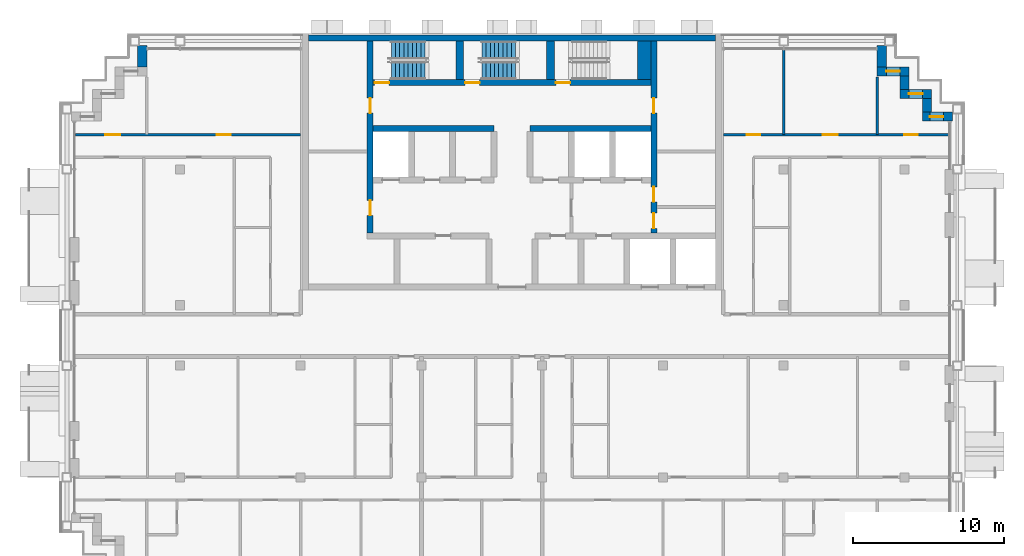
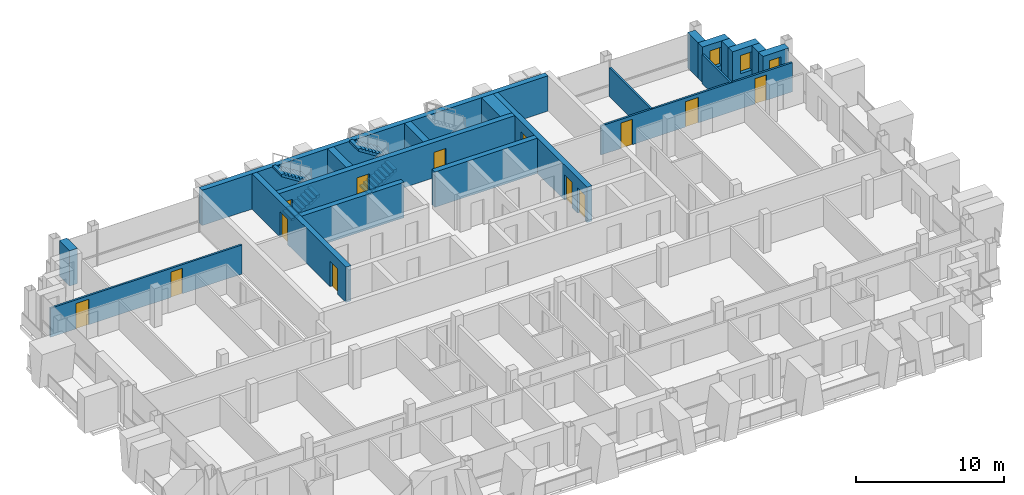
# One storey, part 11 of 16: 20 walls, 13 doors, 4 stair flights, 3 windows, 16 openings, 2 elements without a shape of their own.
"""IFC4 building model written with IfcOpenShell, lengths in metres."""

import ifcopenshell
import ifcopenshell.guid

model = None  # the IFC model being written
_history = None  # IfcOwnerHistory: only IFC2X3 demands one
_inside = {}  # id of a spatial element -> (the spatial element, [elements in it])
_under = {}  # id of a project, library or spatial element -> (it, [spatial elements below it])
_declared = {}  # id of a project -> (the project, [libraries it declares])
_typed = {}  # id of a type object -> (the type object, [elements of that type])
_made_of = {}  # id of a material, layer set ... -> (it, [elements and type objects made of it])


def new_model(schema):
    """Start an empty IFC model of exactly this schema.

    Asked for "IFC4X3", IfcOpenShell would pick the latest addendum, in which some entities
    have other attributes; the version numbers below select the first issue.
    IFC2X3 requires an IfcOwnerHistory on every rooted entity: one is made here for all.
    """
    global model, _history
    if schema == "IFC4X3":
        model = ifcopenshell.file(schema_version=(4, 3, 0, 0))
    else:
        model = ifcopenshell.file(schema=schema)
    _inside.clear()
    _under.clear()
    _declared.clear()
    _typed.clear()
    _made_of.clear()
    _history = None
    if model.schema == "IFC2X3":
        org = make("IfcOrganization", Name="unknown")
        user = make(
            "IfcPersonAndOrganization",
            ThePerson=make("IfcPerson", FamilyName="unknown"),
            TheOrganization=org,
        )
        app = make(
            "IfcApplication",
            ApplicationDeveloper=org,
            Version="unknown",
            ApplicationFullName="unknown",
            ApplicationIdentifier="unknown",
        )
        _history = make(
            "IfcOwnerHistory",
            OwningUser=user,
            OwningApplication=app,
            ChangeAction="ADDED",
            CreationDate=0,
        )
    return model


def make(cls, **values):
    """One entity of the class cls with the attributes given. An attribute that is None is left unset."""
    return model.create_entity(
        cls, **{name: value for name, value in values.items() if value is not None}
    )


def rooted(cls, **values):
    """An entity with a GlobalId (a new one), such as an element, a storey or a relation."""
    return make(cls, GlobalId=ifcopenshell.guid.new(), OwnerHistory=_history, **values)


def si_unit(unit_type, name, prefix=None):
    """IfcSIUnit, for example si_unit("LENGTHUNIT", "METRE", prefix="MILLI")."""
    return make("IfcSIUnit", UnitType=unit_type, Prefix=prefix, Name=name)


def assignment(units):
    """IfcUnitAssignment: the units of a project."""
    return None if units is None else make("IfcUnitAssignment", Units=units)


def point(xyz):
    """IfcCartesianPoint."""
    return None if xyz is None else make("IfcCartesianPoint", Coordinates=xyz)


def direction(xyz):
    """IfcDirection."""
    return None if xyz is None else make("IfcDirection", DirectionRatios=xyz)


def frame(location, z_axis=None, x_axis=None):
    """IfcAxis2Placement3D, a coordinate frame: its origin and axes. An axis left out is left unset."""
    return make(
        "IfcAxis2Placement3D",
        Location=point(location),
        Axis=direction(z_axis),
        RefDirection=direction(x_axis),
    )


def frame_2d(location, x_axis=None):
    """IfcAxis2Placement2D, a coordinate frame in the plane: its origin and x axis."""
    return make(
        "IfcAxis2Placement2D", Location=point(location), RefDirection=direction(x_axis)
    )


def origin():
    """The frame at (0, 0, 0) with its axes left unset."""
    return frame((0.0, 0.0, 0.0))


def place(relative_to, where):
    """IfcLocalPlacement: puts the frame where relative to a parent placement (None: the world)."""
    return make(
        "IfcLocalPlacement", PlacementRelTo=relative_to, RelativePlacement=where
    )


def context(
    kind, dimensions, precision=None, world=None, true_north=None, identifier=None
):
    """IfcGeometricRepresentationContext, for example the 3D "Model" context."""
    return make(
        "IfcGeometricRepresentationContext",
        ContextIdentifier=identifier,
        ContextType=kind,
        CoordinateSpaceDimension=dimensions,
        Precision=precision,
        WorldCoordinateSystem=world,
        TrueNorth=true_north,
    )


def subcontext(parent, identifier, kind, view, scale=None):
    """IfcGeometricRepresentationSubContext, for example "Body" below "Model"."""
    return make(
        "IfcGeometricRepresentationSubContext",
        ContextIdentifier=identifier,
        ContextType=kind,
        ParentContext=parent,
        TargetScale=scale,
        TargetView=view,
    )


def project(units=None, contexts=None):
    """IfcProject with its units and contexts."""
    return rooted(
        "IfcProject",
        Name="project",
        RepresentationContexts=contexts,
        UnitsInContext=assignment(units),
    )


def spatial(cls, under=None, at=None, **own):
    """A site, building, storey or space (cls), placed at a placement, below another one or the project."""
    s = rooted(cls, ObjectPlacement=at, **own)
    if under is not None:
        _under.setdefault(under.id(), (under, []))[1].append(s)
    return s


def polyline(points):
    """IfcPolyline through the points."""
    return make("IfcPolyline", Points=[point(p) for p in points])


def profile(cls, at=None, kind="AREA", **sizes):
    """A parametric profile (cls). Its sizes go by their IFC names, for example OverallWidth=200.0."""
    return make(cls, ProfileType=kind, Position=at, **sizes)


def rectangle(**sizes):
    """IfcRectangleProfileDef."""
    return profile("IfcRectangleProfileDef", **sizes)


def outline(outer, holes=None, kind="AREA"):
    """IfcArbitraryClosedProfileDef: a profile drawn as a closed curve; with holes, ...WithVoids."""
    if holes is None:
        return make("IfcArbitraryClosedProfileDef", ProfileType=kind, OuterCurve=outer)
    return make(
        "IfcArbitraryProfileDefWithVoids",
        ProfileType=kind,
        OuterCurve=outer,
        InnerCurves=holes,
    )


def extrude(swept, where, along, depth):
    """IfcExtrudedAreaSolid: the profile swept, set in the frame where, extruded along a direction by depth."""
    return make(
        "IfcExtrudedAreaSolid",
        SweptArea=swept,
        Position=where,
        ExtrudedDirection=direction(along),
        Depth=depth,
    )


def shape(context_of_items, identifier, shape_type, items):
    """IfcShapeRepresentation: the items that make up one representation, for example the "Body"."""
    return make(
        "IfcShapeRepresentation",
        ContextOfItems=context_of_items,
        RepresentationIdentifier=identifier,
        RepresentationType=shape_type,
        Items=items,
    )


def material(Name=None, Category=None):
    """IfcMaterial."""
    return make("IfcMaterial", Name=Name, Category=Category)


def layer(
    of_material, thickness, ventilated=None, Name=None, Category=None, Priority=None
):
    """IfcMaterialLayer: one layer of a wall or slab, of a material (None: an air gap)."""
    return make(
        "IfcMaterialLayer",
        Material=of_material,
        LayerThickness=thickness,
        IsVentilated=ventilated,
        Name=Name,
        Category=Category,
        Priority=Priority,
    )


def layer_set(layers, Name=None):
    """IfcMaterialLayerSet."""
    return make("IfcMaterialLayerSet", MaterialLayers=layers, LayerSetName=Name)


def made_of(thing, what):
    """Note that an element or type object is made of a material, layer set ...; save() writes the relation."""
    if what is not None:
        _made_of.setdefault(what.id(), (what, []))[1].append(thing)
    return thing


def type_object(cls, material=None, **own):
    """A type object (cls), such as IfcWallType, which elements share."""
    return made_of(rooted(cls, **own), material)


def element(
    cls,
    number,
    at=None,
    inside=None,
    cuts=None,
    type_object=None,
    material=None,
    context=None,
    identifier="Body",
    shape_type=None,
    held_by="IfcProductDefinitionShape",
    body=None,
    shapes=None,
    **own,
):
    """One element of the class cls, such as IfcWall. Its Tag is "e" and its number.

    at: its placement. inside: the storey or other place that contains it. cuts: it is an
    opening in that element (IfcRelVoidsElement). A single representation is given by context,
    identifier, shape_type and body (its items); several are given by shapes. held_by: the class
    of the entity that holds the representations. save() writes the other relations.
    """
    e = rooted(cls, Tag="e%d" % number, ObjectPlacement=at, **own)
    if body is not None:
        shapes = [shape(context, identifier, shape_type, body)]
    if shapes is not None:
        e.Representation = make(held_by, Representations=shapes)
    if inside is not None:
        _inside.setdefault(inside.id(), (inside, []))[1].append(e)
    if cuts is not None:
        rooted(
            "IfcRelVoidsElement", RelatingBuildingElement=cuts, RelatedOpeningElement=e
        )
    if type_object is not None:
        _typed.setdefault(type_object.id(), (type_object, []))[1].append(e)
    return made_of(e, material)


def fill(opening, filler):
    """IfcRelFillsElement: the door or window that sits in an opening."""
    return rooted(
        "IfcRelFillsElement",
        RelatingOpeningElement=opening,
        RelatedBuildingElement=filler,
    )


def aggregate(whole, parts):
    """IfcRelAggregates: a whole, such as a stair, and the parts it consists of."""
    return rooted("IfcRelAggregates", RelatingObject=whole, RelatedObjects=parts)


def save(model, path):
    """Write the relations noted so far, then the file.

    IfcRelAggregates (storeys below a building ...), IfcRelContainedInSpatialStructure (elements
    in a storey), IfcRelDefinesByType, IfcRelAssociatesMaterial and IfcRelDeclares: one each for
    every whole, place, type object, material and project.
    """
    for whole, parts in _under.values():
        aggregate(whole, parts)
    for where, things in _inside.values():
        rooted(
            "IfcRelContainedInSpatialStructure",
            RelatedElements=things,
            RelatingStructure=where,
        )
    for kind, things in _typed.values():
        rooted("IfcRelDefinesByType", RelatedObjects=things, RelatingType=kind)
    for what, things in _made_of.values():
        rooted("IfcRelAssociatesMaterial", RelatedObjects=things, RelatingMaterial=what)
    for by, libraries in _declared.values():
        rooted("IfcRelDeclares", RelatingContext=by, RelatedDefinitions=libraries)
    model.write(path)


model = new_model("IFC4")

# Units and contexts
model_context = context("Model", 3, precision=1e-05, world=origin(), true_north=direction((0.0, 1.0)))
body_context = subcontext(model_context, "Body", "Model", "MODEL_VIEW")
ifc_project = project(units=[si_unit("LENGTHUNIT", "METRE"), si_unit("AREAUNIT", "SQUARE_METRE"), si_unit("VOLUMEUNIT", "CUBIC_METRE"), si_unit("PLANEANGLEUNIT", "RADIAN"), si_unit("MASSUNIT", "GRAM", prefix="KILO")], contexts=[model_context])

# Site, building, storey
site_placement = place(None, origin())
site = spatial("IfcSite", under=ifc_project, at=site_placement, CompositionType="ELEMENT")
building_placement = place(site_placement, origin())
building = spatial("IfcBuilding", under=site, at=building_placement, Name="Vidyagriha Tower", CompositionType="ELEMENT")
storey_placement = place(building_placement, frame((0.0, 0.0, 220.39990234375)))
storey = spatial("IfcBuildingStorey", under=building, at=storey_placement, Name="L57", CompositionType="ELEMENT", Elevation=220.39990234375)

# Wall, opening, window
ifc_material_1 = material(Name="Precast concrete C40/50 with brick facing", Category="concrete")
ifc_layer_1 = layer(ifc_material_1, 0.60009765625)
ifc_layer_set_1 = layer_set([ifc_layer_1], Name="Precast concrete C40/50 with brick facing")
wall_type_1 = type_object("IfcWallType", Name="Brick-faced precast wall 600", PredefinedType="STANDARD", material=ifc_layer_set_1)
wall_1_placement = place(storey_placement, frame((29.199951171875, 14.5, 0.0), z_axis=(0.0, 0.0, 1.0), x_axis=(-1.0, 0.0, 0.0)))
wall_1 = element("IfcWall", 1, at=wall_1_placement, inside=storey, type_object=wall_type_1, Name="Stepped corner wall L57 R01", PredefinedType="STANDARD", context=body_context, shape_type="SweptSolid", body=[
    extrude(rectangle(XDim=2.0, YDim=0.60009765625, at=frame_2d((1.0, 0.0))), origin(), (0.0, 0.0, 1.0), 2.920166015625),
])
opening_1_placement = place(wall_1_placement, frame((0.610107421875, 0.0, 0.89990234375)))
opening_1 = element("IfcOpeningElement", 2, at=opening_1_placement, cuts=wall_1, Name="Opening WN1", PredefinedType="OPENING", context=body_context, shape_type="SweptSolid", body=[
    extrude(rectangle(XDim=0.89990234375, YDim=1.5, at=frame_2d((0.449951171875, 0.75))), frame((0.0, 0.31005859375, 0.0), z_axis=(0.0, -1.0, 0.0), x_axis=(1.0, 0.0, 0.0)), (0.0, 0.0, 1.0), 0.6201171875),
])
ifc_material_2 = material(Name="Aluminium and glass window", Category="aluminium")
window_type = type_object("IfcWindowType", Name="Reveal window 900x1500", PartitioningType="NOTDEFINED", PredefinedType="WINDOW", material=ifc_material_2)
window_1_placement = place(opening_1_placement, origin())
window_1 = element("IfcWindow", 3, at=window_1_placement, inside=storey, type_object=window_type, Name="Reveal window L57 R01", OverallHeight=1.5, OverallWidth=0.89990234375, PartitioningType="SINGLE_PANEL", PredefinedType="WINDOW", context=body_context, shape_type="SweptSolid", body=[
    extrude(rectangle(XDim=0.89990234375, YDim=1.5, at=frame_2d((0.449951171875, 0.75))), frame((0.0, 0.030029296875, 0.0), z_axis=(0.0, -1.0, 0.0), x_axis=(1.0, 0.0, 0.0)), (0.0, 0.0, 1.0), 0.06005859375),
])
fill(opening_1, window_1)

# Wall
wall_2_placement = place(storey_placement, frame((27.5, 14.800048828125, 0.0), z_axis=(0.0, 0.0, 1.0), x_axis=(0.0, 1.0, 0.0)))
element("IfcWall", 4, at=wall_2_placement, inside=storey, type_object=wall_type_1, Name="Stepped corner wall L57 R02", PredefinedType="STANDARD", context=body_context, shape_type="SweptSolid", body=[
    extrude(rectangle(XDim=0.89990234375, YDim=0.60009765625, at=frame_2d((0.449951171875, 0.0))), origin(), (0.0, 0.0, 1.0), 2.920166015625),
])

# Wall, opening, window
wall_3_placement = place(storey_placement, frame((27.800048828125, 16.0, 0.0), z_axis=(0.0, 0.0, 1.0), x_axis=(-1.0, 0.0, 0.0)))
wall_3 = element("IfcWall", 5, at=wall_3_placement, inside=storey, type_object=wall_type_1, Name="Stepped corner wall L57 R03", PredefinedType="STANDARD", context=body_context, shape_type="SweptSolid", body=[
    extrude(rectangle(XDim=2.10009765625, YDim=0.60009765625, at=frame_2d((1.050048828125, 0.0))), origin(), (0.0, 0.0, 1.0), 2.920166015625),
])
opening_2_placement = place(wall_3_placement, frame((0.60009765625, 0.0, 0.89990234375)))
opening_2 = element("IfcOpeningElement", 6, at=opening_2_placement, cuts=wall_3, Name="Opening WN1", PredefinedType="OPENING", context=body_context, shape_type="SweptSolid", body=[
    extrude(rectangle(XDim=0.89990234375, YDim=1.5, at=frame_2d((0.449951171875, 0.75))), frame((0.0, 0.31005859375, 0.0), z_axis=(0.0, -1.0, 0.0), x_axis=(1.0, 0.0, 0.0)), (0.0, 0.0, 1.0), 0.6201171875),
])
window_2_placement = place(opening_2_placement, origin())
window_2 = element("IfcWindow", 7, at=window_2_placement, inside=storey, type_object=window_type, Name="Reveal window L57 R03", OverallHeight=1.5, OverallWidth=0.89990234375, PartitioningType="SINGLE_PANEL", PredefinedType="WINDOW", context=body_context, shape_type="SweptSolid", body=[
    extrude(rectangle(XDim=0.89990234375, YDim=1.5, at=frame_2d((0.449951171875, 0.75))), frame((0.0, 0.030029296875, 0.0), z_axis=(0.0, -1.0, 0.0), x_axis=(1.0, 0.0, 0.0)), (0.0, 0.0, 1.0), 0.06005859375),
])
fill(opening_2, window_2)

# Wall
wall_4_placement = place(storey_placement, frame((26.0, 16.300048828125, 0.0), z_axis=(0.0, 0.0, 1.0), x_axis=(0.0, 1.0, 0.0)))
element("IfcWall", 8, at=wall_4_placement, inside=storey, type_object=wall_type_1, Name="Stepped corner wall L57 R04", PredefinedType="STANDARD", context=body_context, shape_type="SweptSolid", body=[
    extrude(rectangle(XDim=0.89990234375, YDim=0.60009765625, at=frame_2d((0.449951171875, 0.0))), origin(), (0.0, 0.0, 1.0), 2.920166015625),
])

# Wall, opening, window
wall_5_placement = place(storey_placement, frame((26.300048828125, 17.5, 0.0), z_axis=(0.0, 0.0, 1.0), x_axis=(-1.0, 0.0, 0.0)))
wall_5 = element("IfcWall", 9, at=wall_5_placement, inside=storey, type_object=wall_type_1, Name="Stepped corner wall L57 R05", PredefinedType="STANDARD", context=body_context, shape_type="SweptSolid", body=[
    extrude(rectangle(XDim=2.10009765625, YDim=0.60009765625, at=frame_2d((1.050048828125, 0.0))), origin(), (0.0, 0.0, 1.0), 2.920166015625),
])
opening_3_placement = place(wall_5_placement, frame((0.60009765625, 0.0, 0.89990234375)))
opening_3 = element("IfcOpeningElement", 10, at=opening_3_placement, cuts=wall_5, Name="Opening WN1", PredefinedType="OPENING", context=body_context, shape_type="SweptSolid", body=[
    extrude(rectangle(XDim=0.89990234375, YDim=1.5, at=frame_2d((0.449951171875, 0.75))), frame((0.0, 0.31005859375, 0.0), z_axis=(0.0, -1.0, 0.0), x_axis=(1.0, 0.0, 0.0)), (0.0, 0.0, 1.0), 0.6201171875),
])
window_3_placement = place(opening_3_placement, origin())
window_3 = element("IfcWindow", 11, at=window_3_placement, inside=storey, type_object=window_type, Name="Reveal window L57 R05", OverallHeight=1.5, OverallWidth=0.89990234375, PartitioningType="SINGLE_PANEL", PredefinedType="WINDOW", context=body_context, shape_type="SweptSolid", body=[
    extrude(rectangle(XDim=0.89990234375, YDim=1.5, at=frame_2d((0.449951171875, 0.75))), frame((0.0, 0.030029296875, 0.0), z_axis=(0.0, -1.0, 0.0), x_axis=(1.0, 0.0, 0.0)), (0.0, 0.0, 1.0), 0.06005859375),
])
fill(opening_3, window_3)

# Walls
for number, where, z_axis, x_axis, name in (
    (12, (24.5, 17.800048828125, 0.0), (0.0, 0.0, 1.0), (0.0, 1.0, 0.0), "Stepped corner wall L57 R06"),
    (13, (-24.5, 19.199951171875, 0.0), (0.0, 0.0, 1.0), (0.0, -1.0, 0.0), "Stepped corner wall L57 R10"),
):
    element("IfcWall", number, at=place(storey_placement, frame(where, z_axis=z_axis, x_axis=x_axis)), inside=storey, type_object=wall_type_1, Name=name, PredefinedType="STANDARD", context=body_context, shape_type="SweptSolid", body=[
        extrude(rectangle(XDim=1.39990234375, YDim=0.60009765625, at=frame_2d((0.699951171875, 0.0))), origin(), (0.0, 0.0, 1.0), 2.920166015625),
    ])
ifc_material_3 = material(Name="Concrete C60/75", Category="concrete")
ifc_layer_2 = layer(ifc_material_3, 0.39990234375)
ifc_layer_set_2 = layer_set([ifc_layer_2], Name="Concrete C60/75")
wall_type_2 = type_object("IfcWallType", Name="Core shear wall 400 mm", PredefinedType="SHEAR", material=ifc_layer_set_2)
wall_6_placement = place(storey_placement, frame((-13.5, 19.699951171875, 0.0)))
element("IfcWall", 14, at=wall_6_placement, inside=storey, type_object=wall_type_2, Name="Core north wall", PredefinedType="SHEAR", context=body_context, shape_type="SweptSolid", body=[
    extrude(rectangle(XDim=27.0, YDim=0.39990234375, at=frame_2d((13.5, 0.0))), origin(), (0.0, 0.0, 1.0), 2.920166015625),
])

# Wall, openings, doors
wall_7_placement = place(storey_placement, frame((-9.39990234375, 6.800048828125, 0.0), z_axis=(0.0, 0.0, 1.0), x_axis=(0.0, 1.0, 0.0)))
wall_7 = element("IfcWall", 15, at=wall_7_placement, inside=storey, type_object=wall_type_2, Name="Core west spine wall", PredefinedType="SHEAR", context=body_context, shape_type="SweptSolid", body=[
    extrude(rectangle(XDim=12.699951171875, YDim=0.39990234375, at=frame_2d((6.35009765625, 0.0))), origin(), (0.0, 0.0, 1.0), 2.920166015625),
])
opening_4_placement = place(wall_7_placement, frame((1.14990234375, 0.0, 0.0)))
opening_4 = element("IfcOpeningElement", 16, at=opening_4_placement, cuts=wall_7, Name="Opening D57-12", PredefinedType="OPENING", context=body_context, shape_type="SweptSolid", body=[
    extrude(rectangle(XDim=1.0, YDim=2.10009765625, at=frame_2d((0.5, 1.050048828125))), frame((0.0, 0.2099609375, 0.0), z_axis=(0.0, -1.0, 0.0), x_axis=(1.0, 0.0, 0.0)), (0.0, 0.0, 1.0), 0.419921875),
])
opening_5_placement = place(wall_7_placement, frame((7.925048828125, 0.0, 0.0)))
opening_5 = element("IfcOpeningElement", 17, at=opening_5_placement, cuts=wall_7, Name="Opening D57-13", PredefinedType="OPENING", context=body_context, shape_type="SweptSolid", body=[
    extrude(rectangle(XDim=1.0, YDim=2.10009765625, at=frame_2d((0.5, 1.050048828125))), frame((0.0, 0.2099609375, 0.0), z_axis=(0.0, -1.0, 0.0), x_axis=(1.0, 0.0, 0.0)), (0.0, 0.0, 1.0), 0.419921875),
])
ifc_material_4 = material(Name="Hollow metal door leaf")
door_type_1 = type_object("IfcDoorType", Name="Core room door 1000 x 2100 mm EI 60", OperationType="NOTDEFINED", PredefinedType="DOOR", material=ifc_material_4)
door_1_placement = place(opening_4_placement, frame((1.0, 0.0, 0.0), z_axis=(0.0, 0.0, 1.0), x_axis=(-1.0, 0.0, 0.0)))
door_1 = element("IfcDoor", 18, at=door_1_placement, inside=storey, type_object=door_type_1, Name="Door Pressurisation Plant Room 57.W1", OperationType="SINGLE_SWING_RIGHT", OverallHeight=2.10009765625, OverallWidth=1.0, PredefinedType="DOOR", context=body_context, shape_type="SweptSolid", body=[
    extrude(rectangle(XDim=1.0, YDim=2.10009765625, at=frame_2d((0.5, 1.050048828125))), frame((0.0, 0.02490234375, 0.0), z_axis=(0.0, -1.0, 0.0), x_axis=(1.0, 0.0, 0.0)), (0.0, 0.0, 1.0), 0.050048828125),
])
fill(opening_4, door_1)
door_2_placement = place(opening_5_placement, frame((1.0, 0.0, 0.0), z_axis=(0.0, 0.0, 1.0), x_axis=(-1.0, 0.0, 0.0)))
door_2 = element("IfcDoor", 19, at=door_2_placement, inside=storey, type_object=door_type_1, Name="Door Storage Room 57.W2", OperationType="SINGLE_SWING_LEFT", OverallHeight=2.10009765625, OverallWidth=1.0, PredefinedType="DOOR", context=body_context, shape_type="SweptSolid", body=[
    extrude(rectangle(XDim=1.0, YDim=2.10009765625, at=frame_2d((0.5, 1.050048828125))), frame((0.0, 0.02490234375, 0.0), z_axis=(0.0, -1.0, 0.0), x_axis=(1.0, 0.0, 0.0)), (0.0, 0.0, 1.0), 0.050048828125),
])
fill(opening_5, door_2)

wall_8_placement = place(storey_placement, frame((9.39990234375, 6.800048828125, 0.0), z_axis=(0.0, 0.0, 1.0), x_axis=(0.0, 1.0, 0.0)))
wall_8 = element("IfcWall", 20, at=wall_8_placement, inside=storey, type_object=wall_type_2, Name="Core east spine wall", PredefinedType="SHEAR", context=body_context, shape_type="SweptSolid", body=[
    extrude(rectangle(XDim=12.699951171875, YDim=0.39990234375, at=frame_2d((6.35009765625, 0.0))), origin(), (0.0, 0.0, 1.0), 2.920166015625),
])
opening_6_placement = place(wall_8_placement, frame((0.300048828125, 0.0, 0.0)))
opening_6 = element("IfcOpeningElement", 21, at=opening_6_placement, cuts=wall_8, Name="Opening D57-14", PredefinedType="OPENING", context=body_context, shape_type="SweptSolid", body=[
    extrude(rectangle(XDim=1.0, YDim=2.10009765625, at=frame_2d((0.5, 1.050048828125))), frame((0.0, 0.2099609375, 0.0), z_axis=(0.0, -1.0, 0.0), x_axis=(1.0, 0.0, 0.0)), (0.0, 0.0, 1.0), 0.419921875),
])
opening_7_placement = place(wall_8_placement, frame((2.050048828125, 0.0, 0.0)))
opening_7 = element("IfcOpeningElement", 22, at=opening_7_placement, cuts=wall_8, Name="Opening D57-15", PredefinedType="OPENING", context=body_context, shape_type="SweptSolid", body=[
    extrude(rectangle(XDim=1.0, YDim=2.10009765625, at=frame_2d((0.5, 1.050048828125))), frame((0.0, 0.2099609375, 0.0), z_axis=(0.0, -1.0, 0.0), x_axis=(1.0, 0.0, 0.0)), (0.0, 0.0, 1.0), 0.419921875),
])
opening_8_placement = place(wall_8_placement, frame((7.925048828125, 0.0, 0.0)))
opening_8 = element("IfcOpeningElement", 23, at=opening_8_placement, cuts=wall_8, Name="Opening D57-16", PredefinedType="OPENING", context=body_context, shape_type="SweptSolid", body=[
    extrude(rectangle(XDim=1.0, YDim=2.10009765625, at=frame_2d((0.5, 1.050048828125))), frame((0.0, 0.2099609375, 0.0), z_axis=(0.0, -1.0, 0.0), x_axis=(1.0, 0.0, 0.0)), (0.0, 0.0, 1.0), 0.419921875),
])
door_3_placement = place(opening_6_placement, origin())
door_3 = element("IfcDoor", 24, at=door_3_placement, inside=storey, type_object=door_type_1, Name="Door Switchgear Room 57.E1", OperationType="SINGLE_SWING_RIGHT", OverallHeight=2.10009765625, OverallWidth=1.0, PredefinedType="DOOR", context=body_context, shape_type="SweptSolid", body=[
    extrude(rectangle(XDim=1.0, YDim=2.10009765625, at=frame_2d((0.5, 1.050048828125))), frame((0.0, 0.02490234375, 0.0), z_axis=(0.0, -1.0, 0.0), x_axis=(1.0, 0.0, 0.0)), (0.0, 0.0, 1.0), 0.050048828125),
])
fill(opening_6, door_3)
door_4_placement = place(opening_7_placement, origin())
door_4 = element("IfcDoor", 25, at=door_4_placement, inside=storey, type_object=door_type_1, Name="Door Communications Room 57.E2", OperationType="SINGLE_SWING_LEFT", OverallHeight=2.10009765625, OverallWidth=1.0, PredefinedType="DOOR", context=body_context, shape_type="SweptSolid", body=[
    extrude(rectangle(XDim=1.0, YDim=2.10009765625, at=frame_2d((0.5, 1.050048828125))), frame((0.0, 0.02490234375, 0.0), z_axis=(0.0, -1.0, 0.0), x_axis=(1.0, 0.0, 0.0)), (0.0, 0.0, 1.0), 0.050048828125),
])
fill(opening_7, door_4)
door_5_placement = place(opening_8_placement, origin())
door_5 = element("IfcDoor", 26, at=door_5_placement, inside=storey, type_object=door_type_1, Name="Door Pressurisation Plant Room 57.E3", OperationType="SINGLE_SWING_LEFT", OverallHeight=2.10009765625, OverallWidth=1.0, PredefinedType="DOOR", context=body_context, shape_type="SweptSolid", body=[
    extrude(rectangle(XDim=1.0, YDim=2.10009765625, at=frame_2d((0.5, 1.050048828125))), frame((0.0, 0.02490234375, 0.0), z_axis=(0.0, -1.0, 0.0), x_axis=(1.0, 0.0, 0.0)), (0.0, 0.0, 1.0), 0.050048828125),
])
fill(opening_8, door_5)

# Walls
for number, where, name in (
    (27, (-9.199951171875, 13.699951171875, 0.0), "Core row N rear wall"),
    (28, (1.199951171875, 13.699951171875, 0.0), "Core row N rear wall"),
):
    element("IfcWall", number, at=place(storey_placement, frame(where)), inside=storey, type_object=wall_type_2, Name=name, PredefinedType="SHEAR", context=body_context, shape_type="SweptSolid", body=[
        extrude(rectangle(XDim=8.0, YDim=0.39990234375, at=frame_2d((4.0, 0.0))), origin(), (0.0, 0.0, 1.0), 2.920166015625),
    ])

# Wall, openings, doors
wall_9_placement = place(storey_placement, frame((-9.199951171875, 16.75, 0.0)))
wall_9 = element("IfcWall", 29, at=wall_9_placement, inside=storey, type_object=wall_type_2, Name="Stair front wall", PredefinedType="SHEAR", context=body_context, shape_type="SweptSolid", body=[
    extrude(rectangle(XDim=18.39990234375, YDim=0.39990234375, at=frame_2d((9.199951171875, 0.0))), origin(), (0.0, 0.0, 1.0), 2.920166015625),
])
opening_9_placement = place(wall_9_placement, frame((0.10009765625, 0.0, 0.0)))
opening_9 = element("IfcOpeningElement", 30, at=opening_9_placement, cuts=wall_9, Name="Opening D57-09", PredefinedType="OPENING", context=body_context, shape_type="SweptSolid", body=[
    extrude(rectangle(XDim=0.949951171875, YDim=2.10009765625, at=frame_2d((0.47509765625, 1.050048828125))), frame((0.0, 0.2099609375, 0.0), z_axis=(0.0, -1.0, 0.0), x_axis=(1.0, 0.0, 0.0)), (0.0, 0.0, 1.0), 0.419921875),
])
opening_10_placement = place(wall_9_placement, frame((6.10009765625, 0.0, 0.0)))
opening_10 = element("IfcOpeningElement", 31, at=opening_10_placement, cuts=wall_9, Name="Opening D57-10", PredefinedType="OPENING", context=body_context, shape_type="SweptSolid", body=[
    extrude(rectangle(XDim=0.949951171875, YDim=2.10009765625, at=frame_2d((0.47509765625, 1.050048828125))), frame((0.0, 0.2099609375, 0.0), z_axis=(0.0, -1.0, 0.0), x_axis=(1.0, 0.0, 0.0)), (0.0, 0.0, 1.0), 0.419921875),
])
opening_11_placement = place(wall_9_placement, frame((12.10009765625, 0.0, 0.0)))
opening_11 = element("IfcOpeningElement", 32, at=opening_11_placement, cuts=wall_9, Name="Opening D57-11", PredefinedType="OPENING", context=body_context, shape_type="SweptSolid", body=[
    extrude(rectangle(XDim=0.949951171875, YDim=2.10009765625, at=frame_2d((0.47509765625, 1.050048828125))), frame((0.0, 0.2099609375, 0.0), z_axis=(0.0, -1.0, 0.0), x_axis=(1.0, 0.0, 0.0)), (0.0, 0.0, 1.0), 0.419921875),
])
ifc_material_5 = material(Name="Hollow metal door leaf")
door_type_2 = type_object("IfcDoorType", Name="Exit stair door 950 x 2100 mm EI 90", OperationType="NOTDEFINED", PredefinedType="DOOR", material=ifc_material_5)
door_6_placement = place(opening_9_placement, origin())
door_6 = element("IfcDoor", 33, at=door_6_placement, inside=storey, type_object=door_type_2, Name="Stair door ST1 L57", OperationType="SINGLE_SWING_LEFT", OverallHeight=2.10009765625, OverallWidth=0.949951171875, PredefinedType="DOOR", context=body_context, shape_type="SweptSolid", body=[
    extrude(rectangle(XDim=0.949951171875, YDim=2.10009765625, at=frame_2d((0.47509765625, 1.050048828125))), frame((0.0, 0.02490234375, 0.0), z_axis=(0.0, -1.0, 0.0), x_axis=(1.0, 0.0, 0.0)), (0.0, 0.0, 1.0), 0.050048828125),
])
fill(opening_9, door_6)
door_7_placement = place(opening_10_placement, origin())
door_7 = element("IfcDoor", 34, at=door_7_placement, inside=storey, type_object=door_type_2, Name="Stair door ST2 L57", OperationType="SINGLE_SWING_LEFT", OverallHeight=2.10009765625, OverallWidth=0.949951171875, PredefinedType="DOOR", context=body_context, shape_type="SweptSolid", body=[
    extrude(rectangle(XDim=0.949951171875, YDim=2.10009765625, at=frame_2d((0.47509765625, 1.050048828125))), frame((0.0, 0.02490234375, 0.0), z_axis=(0.0, -1.0, 0.0), x_axis=(1.0, 0.0, 0.0)), (0.0, 0.0, 1.0), 0.050048828125),
])
fill(opening_10, door_7)
door_8_placement = place(opening_11_placement, origin())
door_8 = element("IfcDoor", 35, at=door_8_placement, inside=storey, type_object=door_type_2, Name="Stair door ST3 L57", OperationType="SINGLE_SWING_LEFT", OverallHeight=2.10009765625, OverallWidth=0.949951171875, PredefinedType="DOOR", context=body_context, shape_type="SweptSolid", body=[
    extrude(rectangle(XDim=0.949951171875, YDim=2.10009765625, at=frame_2d((0.47509765625, 1.050048828125))), frame((0.0, 0.02490234375, 0.0), z_axis=(0.0, -1.0, 0.0), x_axis=(1.0, 0.0, 0.0)), (0.0, 0.0, 1.0), 0.050048828125),
])
fill(opening_11, door_8)

# Walls
ifc_material_6 = material(Name="Concrete C60/75", Category="concrete")
ifc_layer_3 = layer(ifc_material_6, 0.5)
ifc_layer_set_3 = layer_set([ifc_layer_3], Name="Concrete C60/75")
wall_type_3 = type_object("IfcWallType", Name="Core shear wall 500 mm", PredefinedType="SHEAR", material=ifc_layer_set_3)
for number, where, z_axis, x_axis, name in (
    (36, (-3.449951171875, 16.949951171875, 0.0), (0.0, 0.0, 1.0), (0.0, 1.0, 0.0), "Stair partition wall 1"),
    (37, (2.550048828125, 16.949951171875, 0.0), (0.0, 0.0, 1.0), (0.0, 1.0, 0.0), "Stair partition wall 2"),
):
    element("IfcWall", number, at=place(storey_placement, frame(where, z_axis=z_axis, x_axis=x_axis)), inside=storey, type_object=wall_type_3, Name=name, PredefinedType="SHEAR", context=body_context, shape_type="SweptSolid", body=[
        extrude(rectangle(XDim=2.550048828125, YDim=0.5, at=frame_2d((1.27490234375, 0.0))), origin(), (0.0, 0.0, 1.0), 2.920166015625),
    ])
ifc_material_7 = material(Name="Concrete C60/75", Category="concrete")
ifc_layer_4 = layer(ifc_material_7, 0.89990234375)
ifc_layer_set_4 = layer_set([ifc_layer_4], Name="Concrete C60/75")
wall_type_4 = type_object("IfcWallType", Name="Core shear wall 900 mm", PredefinedType="SHEAR", material=ifc_layer_set_4)
wall_10_placement = place(storey_placement, frame((8.75, 16.949951171875, 0.0), z_axis=(0.0, 0.0, 1.0), x_axis=(0.0, 1.0, 0.0)))
element("IfcWall", 38, at=wall_10_placement, inside=storey, type_object=wall_type_4, Name="Stair end wall", PredefinedType="SHEAR", context=body_context, shape_type="SweptSolid", body=[
    extrude(rectangle(XDim=2.550048828125, YDim=0.89990234375, at=frame_2d((1.27490234375, 0.0))), origin(), (0.0, 0.0, 1.0), 2.920166015625),
])

# Wall, openings, doors
ifc_material_8 = material(Name="Gypsum board partition")
ifc_layer_5 = layer(ifc_material_8, 0.14990234375)
ifc_layer_set_5 = layer_set([ifc_layer_5], Name="Gypsum board partition")
wall_type_5 = type_object("IfcWallType", Name="Gypsum board partition 150", PredefinedType="PARTITIONING", material=ifc_layer_set_5)
wall_11_placement = place(storey_placement, frame((-28.919921875, 13.300048828125, 0.0)))
wall_11 = element("IfcWall", 39, at=wall_11_placement, inside=storey, type_object=wall_type_5, Name="Wall all-L57-w076", PredefinedType="PARTITIONING", context=body_context, shape_type="SweptSolid", body=[
    extrude(rectangle(XDim=14.919921875, YDim=0.14990234375, at=frame_2d((7.4599609375, 0.0))), origin(), (0.0, 0.0, 1.0), 2.400146484375),
])
opening_12_placement = place(wall_11_placement, frame((1.969970703125, 0.0, 0.0)))
opening_12 = element("IfcOpeningElement", 40, at=opening_12_placement, cuts=wall_11, Name="Opening D57-51", PredefinedType="OPENING", context=body_context, shape_type="SweptSolid", body=[
    extrude(rectangle(XDim=1.0, YDim=2.10009765625, at=frame_2d((0.5, 1.050048828125))), frame((0.0, 0.0849609375, 0.0), z_axis=(0.0, -1.0, 0.0), x_axis=(1.0, 0.0, 0.0)), (0.0, 0.0, 1.0), 0.169921875),
])
opening_13_placement = place(wall_11_placement, frame((9.3701171875, 0.0, 0.0)))
opening_13 = element("IfcOpeningElement", 41, at=opening_13_placement, cuts=wall_11, Name="Opening D57-52", PredefinedType="OPENING", context=body_context, shape_type="SweptSolid", body=[
    extrude(rectangle(XDim=0.89990234375, YDim=2.10009765625, at=frame_2d((0.449951171875, 1.050048828125))), frame((0.0, 0.0849609375, 0.0), z_axis=(0.0, -1.0, 0.0), x_axis=(1.0, 0.0, 0.0)), (0.0, 0.0, 1.0), 0.169921875),
])
ifc_material_9 = material(Name="Timber door leaf", Category="wood")
door_type_3 = type_object("IfcDoorType", Name="Room door 1000x2100", OperationType="NOTDEFINED", PredefinedType="DOOR", material=ifc_material_9)
door_9_placement = place(opening_12_placement, origin())
door_9 = element("IfcDoor", 42, at=door_9_placement, inside=storey, type_object=door_type_3, Name="Door D57-51", OperationType="SINGLE_SWING_RIGHT", OverallHeight=2.10009765625, OverallWidth=1.0, PredefinedType="DOOR", context=body_context, shape_type="SweptSolid", body=[
    extrude(rectangle(XDim=1.0, YDim=2.10009765625, at=frame_2d((0.5, 1.050048828125))), frame((0.0, 0.02490234375, 0.0), z_axis=(0.0, -1.0, 0.0), x_axis=(1.0, 0.0, 0.0)), (0.0, 0.0, 1.0), 0.050048828125),
])
fill(opening_12, door_9)
ifc_material_10 = material(Name="Timber door leaf", Category="wood")
door_type_4 = type_object("IfcDoorType", Name="Room door 900x2100", OperationType="NOTDEFINED", PredefinedType="DOOR", material=ifc_material_10)
door_10_placement = place(opening_13_placement, origin())
door_10 = element("IfcDoor", 43, at=door_10_placement, inside=storey, type_object=door_type_4, Name="Door D57-52", OperationType="SINGLE_SWING_LEFT", OverallHeight=2.10009765625, OverallWidth=0.89990234375, PredefinedType="DOOR", context=body_context, shape_type="SweptSolid", body=[
    extrude(rectangle(XDim=0.89990234375, YDim=2.10009765625, at=frame_2d((0.449951171875, 1.050048828125))), frame((0.0, 0.02490234375, 0.0), z_axis=(0.0, -1.0, 0.0), x_axis=(1.0, 0.0, 0.0)), (0.0, 0.0, 1.0), 0.050048828125),
])
fill(opening_13, door_10)

wall_12_placement = place(storey_placement, frame((14.0, 13.300048828125, 0.0)))
wall_12 = element("IfcWall", 44, at=wall_12_placement, inside=storey, type_object=wall_type_5, Name="Wall all-L57-w091", PredefinedType="PARTITIONING", context=body_context, shape_type="SweptSolid", body=[
    extrude(rectangle(XDim=14.919921875, YDim=0.14990234375, at=frame_2d((7.4599609375, 0.0))), origin(), (0.0, 0.0, 1.0), 2.400146484375),
])
opening_14_placement = place(wall_12_placement, frame((1.550048828125, 0.0, 0.0)))
opening_14 = element("IfcOpeningElement", 45, at=opening_14_placement, cuts=wall_12, Name="Opening D57-58", PredefinedType="OPENING", context=body_context, shape_type="SweptSolid", body=[
    extrude(rectangle(XDim=0.89990234375, YDim=2.10009765625, at=frame_2d((0.449951171875, 1.050048828125))), frame((0.0, 0.0849609375, 0.0), z_axis=(0.0, -1.0, 0.0), x_axis=(1.0, 0.0, 0.0)), (0.0, 0.0, 1.0), 0.169921875),
])
opening_15_placement = place(wall_12_placement, frame((6.60009765625, 0.0, 0.0)))
opening_15 = element("IfcOpeningElement", 46, at=opening_15_placement, cuts=wall_12, Name="Opening D57-59", PredefinedType="OPENING", context=body_context, shape_type="SweptSolid", body=[
    extrude(rectangle(XDim=1.0, YDim=2.10009765625, at=frame_2d((0.5, 1.050048828125))), frame((0.0, 0.0849609375, 0.0), z_axis=(0.0, -1.0, 0.0), x_axis=(1.0, 0.0, 0.0)), (0.0, 0.0, 1.0), 0.169921875),
])
opening_16_placement = place(wall_12_placement, frame((12.0, 0.0, 0.0)))
opening_16 = element("IfcOpeningElement", 47, at=opening_16_placement, cuts=wall_12, Name="Opening D57-60", PredefinedType="OPENING", context=body_context, shape_type="SweptSolid", body=[
    extrude(rectangle(XDim=0.89990234375, YDim=2.10009765625, at=frame_2d((0.449951171875, 1.050048828125))), frame((0.0, 0.0849609375, 0.0), z_axis=(0.0, -1.0, 0.0), x_axis=(1.0, 0.0, 0.0)), (0.0, 0.0, 1.0), 0.169921875),
])
door_11_placement = place(opening_15_placement, origin())
door_11 = element("IfcDoor", 48, at=door_11_placement, inside=storey, type_object=door_type_3, Name="Door D57-59", OperationType="SINGLE_SWING_RIGHT", OverallHeight=2.10009765625, OverallWidth=1.0, PredefinedType="DOOR", context=body_context, shape_type="SweptSolid", body=[
    extrude(rectangle(XDim=1.0, YDim=2.10009765625, at=frame_2d((0.5, 1.050048828125))), frame((0.0, 0.02490234375, 0.0), z_axis=(0.0, -1.0, 0.0), x_axis=(1.0, 0.0, 0.0)), (0.0, 0.0, 1.0), 0.050048828125),
])
fill(opening_15, door_11)
door_12_placement = place(opening_14_placement, origin())
door_12 = element("IfcDoor", 49, at=door_12_placement, inside=storey, type_object=door_type_4, Name="Door D57-58", OperationType="SINGLE_SWING_RIGHT", OverallHeight=2.10009765625, OverallWidth=0.89990234375, PredefinedType="DOOR", context=body_context, shape_type="SweptSolid", body=[
    extrude(rectangle(XDim=0.89990234375, YDim=2.10009765625, at=frame_2d((0.449951171875, 1.050048828125))), frame((0.0, 0.02490234375, 0.0), z_axis=(0.0, -1.0, 0.0), x_axis=(1.0, 0.0, 0.0)), (0.0, 0.0, 1.0), 0.050048828125),
])
fill(opening_14, door_12)
door_13_placement = place(opening_16_placement, origin())
door_13 = element("IfcDoor", 50, at=door_13_placement, inside=storey, type_object=door_type_4, Name="Door D57-60", OperationType="SINGLE_SWING_RIGHT", OverallHeight=2.10009765625, OverallWidth=0.89990234375, PredefinedType="DOOR", context=body_context, shape_type="SweptSolid", body=[
    extrude(rectangle(XDim=0.89990234375, YDim=2.10009765625, at=frame_2d((0.449951171875, 1.050048828125))), frame((0.0, 0.02490234375, 0.0), z_axis=(0.0, -1.0, 0.0), x_axis=(1.0, 0.0, 0.0)), (0.0, 0.0, 1.0), 0.050048828125),
])
fill(opening_16, door_13)

# Walls
wall_13_placement = place(storey_placement, frame((18.0, 18.9208984375, 0.0), z_axis=(0.0, 0.0, 1.0), x_axis=(0.0, -1.0, 0.0)))
element("IfcWall", 51, at=wall_13_placement, inside=storey, type_object=wall_type_5, Name="Wall all-L57-w095", PredefinedType="PARTITIONING", context=body_context, shape_type="SweptSolid", body=[
    extrude(rectangle(XDim=5.620849609375, YDim=0.14990234375, at=frame_2d((2.810546875, 0.0))), origin(), (0.0, 0.0, 1.0), 2.400146484375),
])
wall_14_placement = place(storey_placement, frame((24.199951171875, 17.1201171875, 0.0), z_axis=(0.0, 0.0, 1.0), x_axis=(0.0, -1.0, 0.0)))
element("IfcWall", 52, at=wall_14_placement, inside=storey, type_object=wall_type_5, Name="Wall all-L57-w096", PredefinedType="PARTITIONING", context=body_context, shape_type="SweptSolid", body=[
    extrude(rectangle(XDim=3.820068359375, YDim=0.14990234375, at=frame_2d((1.91015625, 0.0))), origin(), (0.0, 0.0, 1.0), 2.400146484375),
])

# Stair, stair flights
ifc_material_11 = material(Name="Concrete C40/50", Category="concrete")
stair_type = type_object("IfcStairType", Name="Exit stair, half-turn, precast flights", PredefinedType="HALF_TURN_STAIR", material=ifc_material_11)
stair_1_placement = place(storey_placement, origin())
stair_1 = element("IfcStair", 53, at=stair_1_placement, inside=storey, type_object=stair_type, Name="L57 Exit Stair ST1", PredefinedType="HALF_TURN_STAIR")
ifc_material_12 = material(Name="Precast concrete C40/50", Category="concrete")
stair_flight_type = type_object("IfcStairFlightType", Name="Exit stair flight 1200 mm, precast", PredefinedType="STRAIGHT", material=ifc_material_12)
stair_flight_1_placement = place(storey_placement, frame((-8.0, 17.550048828125, 0.0)))
stair_flight_1 = element("IfcStairFlight", 54, at=stair_flight_1_placement, type_object=stair_flight_type, Name="ST1 flight 1", NumberOfRisers=9, NumberOfTreads=8, PredefinedType="STRAIGHT", RiserHeight=0.177777778, TreadLength=0.28, context=body_context, shape_type="SweptSolid", body=[
    extrude(outline(polyline([(0.0, 0.0), (0.0, 0.177734375), (0.280029296875, 0.177734375), (0.280029296875, 0.35546875), (0.56005859375, 0.35546875), (0.56005859375, 0.533447265625), (0.840087890625, 0.533447265625), (0.840087890625, 0.711181640625), (1.1201171875, 0.711181640625), (1.1201171875, 0.888916015625), (1.39990234375, 0.888916015625), (1.39990234375, 1.066650390625), (1.679931640625, 1.066650390625), (1.679931640625, 1.244384765625), (1.9599609375, 1.244384765625), (1.9599609375, 1.422119140625), (2.239990234375, 1.422119140625), (2.239990234375, 1.60009765625), (2.239990234375, 1.24462890625), (0.27978515625, 0.0), (0.0, 0.0)])), frame((0.0, 0.60009765625, 0.0), z_axis=(0.0, -1.0, 0.0), x_axis=(1.0, 0.0, 0.0)), (0.0, 0.0, 1.0), 1.199951171875),
])
stair_flight_2_placement = place(storey_placement, frame((-5.760009765625, 18.89990234375, 1.60009765625), z_axis=(0.0, 0.0, 1.0), x_axis=(-1.0, 0.0, 0.0)))
stair_flight_2 = element("IfcStairFlight", 55, at=stair_flight_2_placement, type_object=stair_flight_type, Name="ST1 flight 2", NumberOfRisers=9, NumberOfTreads=8, PredefinedType="STRAIGHT", RiserHeight=0.177777778, TreadLength=0.28, context=body_context, shape_type="SweptSolid", body=[
    extrude(outline(polyline([(0.0, 0.0), (0.0, 0.177734375), (0.280029296875, 0.177734375), (0.280029296875, 0.35546875), (0.56005859375, 0.35546875), (0.56005859375, 0.533447265625), (0.840087890625, 0.533447265625), (0.840087890625, 0.711181640625), (1.1201171875, 0.711181640625), (1.1201171875, 0.888916015625), (1.39990234375, 0.888916015625), (1.39990234375, 1.066650390625), (1.679931640625, 1.066650390625), (1.679931640625, 1.244384765625), (1.9599609375, 1.244384765625), (1.9599609375, 1.422119140625), (2.239990234375, 1.422119140625), (2.239990234375, 1.60009765625), (2.239990234375, 1.24462890625), (0.27978515625, 0.0), (0.0, 0.0)])), frame((0.0, 0.60009765625, 0.0), z_axis=(0.0, -1.0, 0.0), x_axis=(1.0, 0.0, 0.0)), (0.0, 0.0, 1.0), 1.199951171875),
])
aggregate(stair_1, [stair_flight_1, stair_flight_2])

stair_2_placement = place(storey_placement, origin())
stair_2 = element("IfcStair", 56, at=stair_2_placement, inside=storey, type_object=stair_type, Name="L57 Exit Stair ST2", PredefinedType="HALF_TURN_STAIR")
stair_flight_3_placement = place(storey_placement, frame((-2.0, 17.550048828125, 0.0)))
stair_flight_3 = element("IfcStairFlight", 57, at=stair_flight_3_placement, type_object=stair_flight_type, Name="ST2 flight 1", NumberOfRisers=9, NumberOfTreads=8, PredefinedType="STRAIGHT", RiserHeight=0.177777778, TreadLength=0.28, context=body_context, shape_type="SweptSolid", body=[
    extrude(outline(polyline([(0.0, 0.0), (0.0, 0.177734375), (0.280029296875, 0.177734375), (0.280029296875, 0.35546875), (0.56005859375, 0.35546875), (0.56005859375, 0.533447265625), (0.840087890625, 0.533447265625), (0.840087890625, 0.711181640625), (1.1201171875, 0.711181640625), (1.1201171875, 0.888916015625), (1.39990234375, 0.888916015625), (1.39990234375, 1.066650390625), (1.679931640625, 1.066650390625), (1.679931640625, 1.244384765625), (1.9599609375, 1.244384765625), (1.9599609375, 1.422119140625), (2.239990234375, 1.422119140625), (2.239990234375, 1.60009765625), (2.239990234375, 1.24462890625), (0.27978515625, 0.0), (0.0, 0.0)])), frame((0.0, 0.60009765625, 0.0), z_axis=(0.0, -1.0, 0.0), x_axis=(1.0, 0.0, 0.0)), (0.0, 0.0, 1.0), 1.199951171875),
])
stair_flight_4_placement = place(storey_placement, frame((0.239990234375, 18.89990234375, 1.60009765625), z_axis=(0.0, 0.0, 1.0), x_axis=(-1.0, 0.0, 0.0)))
stair_flight_4 = element("IfcStairFlight", 58, at=stair_flight_4_placement, type_object=stair_flight_type, Name="ST2 flight 2", NumberOfRisers=9, NumberOfTreads=8, PredefinedType="STRAIGHT", RiserHeight=0.177777778, TreadLength=0.28, context=body_context, shape_type="SweptSolid", body=[
    extrude(outline(polyline([(0.0, 0.0), (0.0, 0.177734375), (0.280029296875, 0.177734375), (0.280029296875, 0.35546875), (0.56005859375, 0.35546875), (0.56005859375, 0.533447265625), (0.840087890625, 0.533447265625), (0.840087890625, 0.711181640625), (1.1201171875, 0.711181640625), (1.1201171875, 0.888916015625), (1.39990234375, 0.888916015625), (1.39990234375, 1.066650390625), (1.679931640625, 1.066650390625), (1.679931640625, 1.244384765625), (1.9599609375, 1.244384765625), (1.9599609375, 1.422119140625), (2.239990234375, 1.422119140625), (2.239990234375, 1.60009765625), (2.239990234375, 1.24462890625), (0.27978515625, 0.0), (0.0, 0.0)])), frame((0.0, 0.60009765625, 0.0), z_axis=(0.0, -1.0, 0.0), x_axis=(1.0, 0.0, 0.0)), (0.0, 0.0, 1.0), 1.199951171875),
])
aggregate(stair_2, [stair_flight_3, stair_flight_4])

save(model, "model.ifc")
